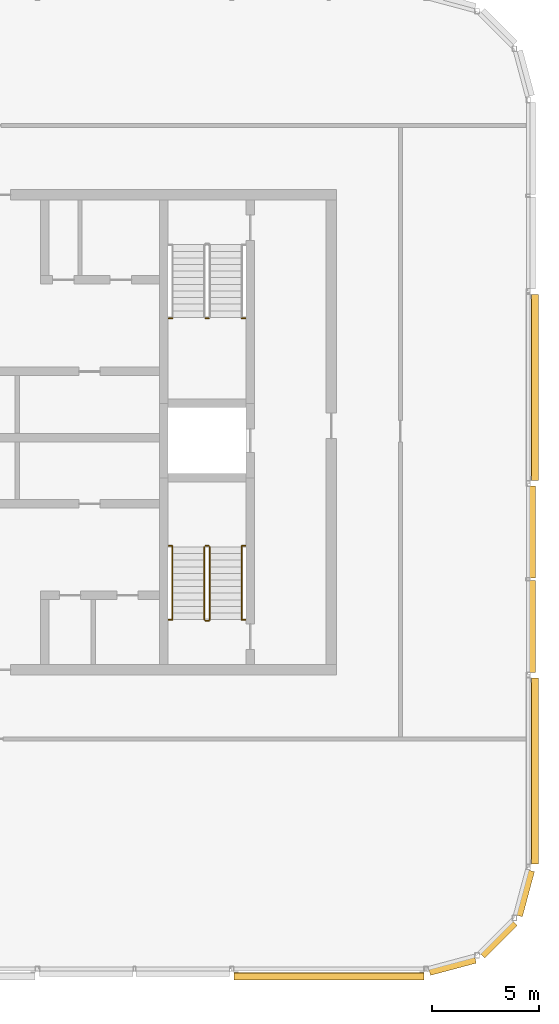
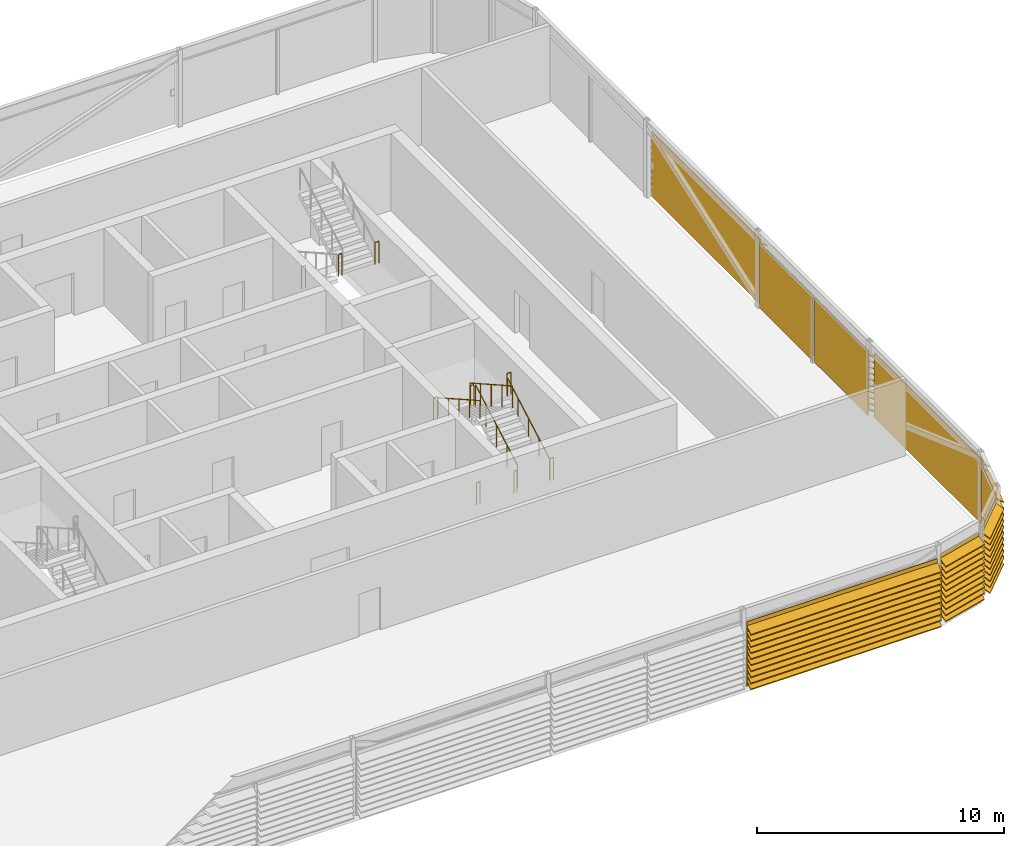
# One storey, part 26 of 28: 13 railings, 8 shading devices.
"""IFC4 building model written with IfcOpenShell, lengths in metres."""

from ifc_helpers import new_model, si_unit, direction, frame, origin, origin_2d, place, context, subcontext, project, spatial, polyline, circle, outline, extrude, material, type_object, element, save


model = new_model("IFC4")

# Units and contexts
model_context = context("Model", 3, precision=1e-05, world=origin(), true_north=direction((0.0, 1.0)))
body_context = subcontext(model_context, "Body", "Model", "MODEL_VIEW")
ifc_project = project(units=[si_unit("LENGTHUNIT", "METRE"), si_unit("AREAUNIT", "SQUARE_METRE"), si_unit("VOLUMEUNIT", "CUBIC_METRE"), si_unit("PLANEANGLEUNIT", "RADIAN"), si_unit("MASSUNIT", "GRAM", prefix="KILO")], contexts=[model_context])

# Site, building, storey
site_placement = place(None, origin())
site = spatial("IfcSite", under=ifc_project, at=site_placement, CompositionType="ELEMENT")
building_placement = place(site_placement, origin())
building = spatial("IfcBuilding", under=site, at=building_placement, Name="Madar Terraces", CompositionType="ELEMENT")
storey_placement = place(building_placement, frame((0.0, 0.0, 305.89990234375)))
storey = spatial("IfcBuildingStorey", under=building, at=storey_placement, Name="L79", CompositionType="ELEMENT", Elevation=305.89990234375)

# Shading devices
ifc_material_1 = material(Name="Aluminium, black anodised", Category="aluminium")
shading_device_type = type_object("IfcShadingDeviceType", Name="Crown louvre bank", PredefinedType="USERDEFINED", material=ifc_material_1)
shading_device_1_placement = place(storey_placement, frame((42.58154296875, 1.199951171875, 0.0), z_axis=(1.0, 0.0, 0.0), x_axis=(0.0, 1.0, 0.0)))
element("IfcShadingDevice", 1, at=shading_device_1_placement, inside=storey, type_object=shading_device_type, Name="LOUVRE bank L79 5.1", ObjectType="LOUVRE", PredefinedType="USERDEFINED", context=body_context, shape_type="SweptSolid", body=[
    extrude(outline(polyline([(-0.156982421875, 0.0), (-0.18701171875, 0.0), (-0.18701171875, 0.24951171875), (-0.5146484375, 0.02001953125), (-0.5146484375, 0.06884765625), (-0.18701171875, 0.29833984375), (-0.18701171875, 0.54931640625), (-0.5146484375, 0.320068359375), (-0.5146484375, 0.368896484375), (-0.18701171875, 0.59814453125), (-0.18701171875, 0.849365234375), (-0.5146484375, 0.6201171875), (-0.5146484375, 0.6689453125), (-0.18701171875, 0.898193359375), (-0.18701171875, 1.1494140625), (-0.5146484375, 0.919921875), (-0.5146484375, 0.96875), (-0.18701171875, 1.1982421875), (-0.18701171875, 1.449462890625), (-0.5146484375, 1.219970703125), (-0.5146484375, 1.268798828125), (-0.18701171875, 1.498291015625), (-0.18701171875, 1.74951171875), (-0.5146484375, 1.52001953125), (-0.5146484375, 1.56884765625), (-0.18701171875, 1.79833984375), (-0.18701171875, 2.04931640625), (-0.5146484375, 1.820068359375), (-0.5146484375, 1.868896484375), (-0.18701171875, 2.09814453125), (-0.18701171875, 2.349365234375), (-0.5146484375, 2.1201171875), (-0.5146484375, 2.1689453125), (-0.18701171875, 2.398193359375), (-0.18701171875, 2.6494140625), (-0.5146484375, 2.419921875), (-0.5146484375, 2.46875), (-0.18701171875, 2.6982421875), (-0.18701171875, 2.949462890625), (-0.5146484375, 2.719970703125), (-0.5146484375, 2.768798828125), (-0.18701171875, 2.998291015625), (-0.18701171875, 3.197998046875), (-0.156982421875, 3.197998046875), (-0.156982421875, 0.0)])), origin(), (0.0, 0.0, 1.0), 8.916748046875),
])
shading_device_2_placement = place(storey_placement, frame((51.7265625, 1.23388671875, 0.0), z_axis=(0.965935304808, 0.258783668197, 0.0), x_axis=(-0.258783668197, 0.965935304808, 0.0)))
element("IfcShadingDevice", 2, at=shading_device_2_placement, inside=storey, type_object=shading_device_type, Name="LOUVRE bank L79 6.1", ObjectType="LOUVRE", PredefinedType="USERDEFINED", context=body_context, shape_type="SweptSolid", body=[
    extrude(outline(polyline([(0.014892578125, 0.0), (-0.014892578125, 0.0), (-0.014892578125, 0.24951171875), (-0.3427734375, 0.02001953125), (-0.3427734375, 0.06884765625), (-0.014892578125, 0.29833984375), (-0.014892578125, 0.54931640625), (-0.3427734375, 0.320068359375), (-0.3427734375, 0.368896484375), (-0.014892578125, 0.59814453125), (-0.014892578125, 0.849365234375), (-0.3427734375, 0.6201171875), (-0.3427734375, 0.6689453125), (-0.014892578125, 0.898193359375), (-0.014892578125, 1.1494140625), (-0.3427734375, 0.919921875), (-0.3427734375, 0.96875), (-0.014892578125, 1.1982421875), (-0.014892578125, 1.449462890625), (-0.3427734375, 1.219970703125), (-0.3427734375, 1.268798828125), (-0.014892578125, 1.498291015625), (-0.014892578125, 1.74951171875), (-0.3427734375, 1.52001953125), (-0.3427734375, 1.56884765625), (-0.014892578125, 1.79833984375), (-0.014892578125, 2.04931640625), (-0.3427734375, 1.820068359375), (-0.3427734375, 1.868896484375), (-0.014892578125, 2.09814453125), (-0.014892578125, 2.349365234375), (-0.3427734375, 2.1201171875), (-0.3427734375, 2.1689453125), (-0.014892578125, 2.398193359375), (-0.014892578125, 2.6494140625), (-0.3427734375, 2.419921875), (-0.3427734375, 2.46875), (-0.014892578125, 2.6982421875), (-0.014892578125, 2.949462890625), (-0.3427734375, 2.719970703125), (-0.3427734375, 2.768798828125), (-0.014892578125, 2.998291015625), (-0.014892578125, 3.197998046875), (0.014892578125, 3.197998046875), (0.014892578125, 0.0)])), origin(), (0.0, 0.0, 1.0), 2.22265625),
])
shading_device_3_placement = place(storey_placement, frame((54.1142578125, 1.957275390625, 0.0), z_axis=(0.707106781187, 0.707106781187, 0.0), x_axis=(-0.707106781187, 0.707106781187, 0.0)))
element("IfcShadingDevice", 3, at=shading_device_3_placement, inside=storey, type_object=shading_device_type, Name="LOUVRE bank L79 7.1", ObjectType="LOUVRE", PredefinedType="USERDEFINED", context=body_context, shape_type="SweptSolid", body=[
    extrude(outline(polyline([(0.014892578125, 0.0), (-0.014892578125, 0.0), (-0.014892578125, 0.24951171875), (-0.3427734375, 0.02001953125), (-0.3427734375, 0.06884765625), (-0.014892578125, 0.29833984375), (-0.014892578125, 0.54931640625), (-0.3427734375, 0.320068359375), (-0.3427734375, 0.368896484375), (-0.014892578125, 0.59814453125), (-0.014892578125, 0.849365234375), (-0.3427734375, 0.6201171875), (-0.3427734375, 0.6689453125), (-0.014892578125, 0.898193359375), (-0.014892578125, 1.1494140625), (-0.3427734375, 0.919921875), (-0.3427734375, 0.96875), (-0.014892578125, 1.1982421875), (-0.014892578125, 1.449462890625), (-0.3427734375, 1.219970703125), (-0.3427734375, 1.268798828125), (-0.014892578125, 1.498291015625), (-0.014892578125, 1.74951171875), (-0.3427734375, 1.52001953125), (-0.3427734375, 1.56884765625), (-0.014892578125, 1.79833984375), (-0.014892578125, 2.04931640625), (-0.3427734375, 1.820068359375), (-0.3427734375, 1.868896484375), (-0.014892578125, 2.09814453125), (-0.014892578125, 2.349365234375), (-0.3427734375, 2.1201171875), (-0.3427734375, 2.1689453125), (-0.014892578125, 2.398193359375), (-0.014892578125, 2.6494140625), (-0.3427734375, 2.419921875), (-0.3427734375, 2.46875), (-0.014892578125, 2.6982421875), (-0.014892578125, 2.949462890625), (-0.3427734375, 2.719970703125), (-0.3427734375, 2.768798828125), (-0.014892578125, 2.998291015625), (-0.014892578125, 3.197998046875), (0.014892578125, 3.197998046875), (0.014892578125, 0.0)])), origin(), (0.0, 0.0, 1.0), 2.161376953125),
])
shading_device_4_placement = place(storey_placement, frame((55.79541015625, 3.743896484375, 0.0), z_axis=(0.258788169352, 0.965934098893, 0.0), x_axis=(-0.965934098893, 0.258788169352, 0.0)))
element("IfcShadingDevice", 4, at=shading_device_4_placement, inside=storey, type_object=shading_device_type, Name="LOUVRE bank L79 8.1", ObjectType="LOUVRE", PredefinedType="USERDEFINED", context=body_context, shape_type="SweptSolid", body=[
    extrude(outline(polyline([(0.014892578125, 0.0), (-0.014892578125, 0.0), (-0.014892578125, 0.24951171875), (-0.3427734375, 0.02001953125), (-0.3427734375, 0.06884765625), (-0.014892578125, 0.29833984375), (-0.014892578125, 0.54931640625), (-0.3427734375, 0.320068359375), (-0.3427734375, 0.368896484375), (-0.014892578125, 0.59814453125), (-0.014892578125, 0.849365234375), (-0.3427734375, 0.6201171875), (-0.3427734375, 0.6689453125), (-0.014892578125, 0.898193359375), (-0.014892578125, 1.1494140625), (-0.3427734375, 0.919921875), (-0.3427734375, 0.96875), (-0.014892578125, 1.1982421875), (-0.014892578125, 1.449462890625), (-0.3427734375, 1.219970703125), (-0.3427734375, 1.268798828125), (-0.014892578125, 1.498291015625), (-0.014892578125, 1.74951171875), (-0.3427734375, 1.52001953125), (-0.3427734375, 1.56884765625), (-0.014892578125, 1.79833984375), (-0.014892578125, 2.04931640625), (-0.3427734375, 1.820068359375), (-0.3427734375, 1.868896484375), (-0.014892578125, 2.09814453125), (-0.014892578125, 2.349365234375), (-0.3427734375, 2.1201171875), (-0.3427734375, 2.1689453125), (-0.014892578125, 2.398193359375), (-0.014892578125, 2.6494140625), (-0.3427734375, 2.419921875), (-0.3427734375, 2.46875), (-0.014892578125, 2.6982421875), (-0.014892578125, 2.949462890625), (-0.3427734375, 2.719970703125), (-0.3427734375, 2.768798828125), (-0.014892578125, 2.998291015625), (-0.014892578125, 3.197998046875), (0.014892578125, 3.197998046875), (0.014892578125, 0.0)])), origin(), (0.0, 0.0, 1.0), 2.186767578125),
])
shading_device_5_placement = place(storey_placement, frame((56.39990234375, 6.126953125, 0.0), z_axis=(0.0, 1.0, 0.0), x_axis=(-1.0, 0.0, 0.0)))
element("IfcShadingDevice", 5, at=shading_device_5_placement, inside=storey, type_object=shading_device_type, Name="LOUVRE bank L79 9.1", ObjectType="LOUVRE", PredefinedType="USERDEFINED", context=body_context, shape_type="SweptSolid", body=[
    extrude(outline(polyline([(-0.131591796875, 0.0), (-0.16162109375, 0.0), (-0.16162109375, 0.24951171875), (-0.4892578125, 0.02001953125), (-0.4892578125, 0.06884765625), (-0.16162109375, 0.29833984375), (-0.16162109375, 0.54931640625), (-0.4892578125, 0.320068359375), (-0.4892578125, 0.368896484375), (-0.16162109375, 0.59814453125), (-0.16162109375, 0.849365234375), (-0.4892578125, 0.6201171875), (-0.4892578125, 0.6689453125), (-0.16162109375, 0.898193359375), (-0.16162109375, 1.1494140625), (-0.4892578125, 0.919921875), (-0.4892578125, 0.96875), (-0.16162109375, 1.1982421875), (-0.16162109375, 1.449462890625), (-0.4892578125, 1.219970703125), (-0.4892578125, 1.268798828125), (-0.16162109375, 1.498291015625), (-0.16162109375, 1.74951171875), (-0.4892578125, 1.52001953125), (-0.4892578125, 1.56884765625), (-0.16162109375, 1.79833984375), (-0.16162109375, 2.04931640625), (-0.4892578125, 1.820068359375), (-0.4892578125, 1.868896484375), (-0.16162109375, 2.09814453125), (-0.16162109375, 2.349365234375), (-0.4892578125, 2.1201171875), (-0.4892578125, 2.1689453125), (-0.16162109375, 2.398193359375), (-0.16162109375, 2.6494140625), (-0.4892578125, 2.419921875), (-0.4892578125, 2.46875), (-0.16162109375, 2.6982421875), (-0.16162109375, 2.949462890625), (-0.4892578125, 2.719970703125), (-0.4892578125, 2.768798828125), (-0.16162109375, 2.998291015625), (-0.16162109375, 3.197998046875), (-0.131591796875, 3.197998046875), (-0.131591796875, 0.0)])), origin(), (0.0, 0.0, 1.0), 8.74609375),
])
for number, where, z_axis, x_axis, name in (
    (6, (56.39990234375, 15.126953125, 0.0), (0.0, 1.0, 0.0), (-1.0, 0.0, 0.0), "LOUVRE bank L79 10.1"),
    (7, (56.39990234375, 19.5634765625, 0.0), (0.0, 1.0, 0.0), (-1.0, 0.0, 0.0), "LOUVRE bank L79 10.2"),
):
    element("IfcShadingDevice", number, at=place(storey_placement, frame(where, z_axis=z_axis, x_axis=x_axis)), inside=storey, type_object=shading_device_type, Name=name, ObjectType="LOUVRE", PredefinedType="USERDEFINED", context=body_context, shape_type="SweptSolid", body=[
        extrude(outline(polyline([(0.014892578125, 0.0), (-0.014892578125, 0.0), (-0.014892578125, 0.24951171875), (-0.3427734375, 0.02001953125), (-0.3427734375, 0.06884765625), (-0.014892578125, 0.29833984375), (-0.014892578125, 0.54931640625), (-0.3427734375, 0.320068359375), (-0.3427734375, 0.368896484375), (-0.014892578125, 0.59814453125), (-0.014892578125, 0.849365234375), (-0.3427734375, 0.6201171875), (-0.3427734375, 0.6689453125), (-0.014892578125, 0.898193359375), (-0.014892578125, 1.1494140625), (-0.3427734375, 0.919921875), (-0.3427734375, 0.96875), (-0.014892578125, 1.1982421875), (-0.014892578125, 1.449462890625), (-0.3427734375, 1.219970703125), (-0.3427734375, 1.268798828125), (-0.014892578125, 1.498291015625), (-0.014892578125, 1.74951171875), (-0.3427734375, 1.52001953125), (-0.3427734375, 1.56884765625), (-0.014892578125, 1.79833984375), (-0.014892578125, 2.04931640625), (-0.3427734375, 1.820068359375), (-0.3427734375, 1.868896484375), (-0.014892578125, 2.09814453125), (-0.014892578125, 2.349365234375), (-0.3427734375, 2.1201171875), (-0.3427734375, 2.1689453125), (-0.014892578125, 2.398193359375), (-0.014892578125, 2.6494140625), (-0.3427734375, 2.419921875), (-0.3427734375, 2.46875), (-0.014892578125, 2.6982421875), (-0.014892578125, 2.949462890625), (-0.3427734375, 2.719970703125), (-0.3427734375, 2.768798828125), (-0.014892578125, 2.998291015625), (-0.014892578125, 3.197998046875), (0.014892578125, 3.197998046875), (0.014892578125, 0.0)])), origin(), (0.0, 0.0, 1.0), 4.3095703125),
    ])
shading_device_6_placement = place(storey_placement, frame((56.39990234375, 24.126953125, 0.0), z_axis=(0.0, 1.0, 0.0), x_axis=(-1.0, 0.0, 0.0)))
element("IfcShadingDevice", 8, at=shading_device_6_placement, inside=storey, type_object=shading_device_type, Name="LOUVRE bank L79 11.1", ObjectType="LOUVRE", PredefinedType="USERDEFINED", context=body_context, shape_type="SweptSolid", body=[
    extrude(outline(polyline([(-0.131591796875, 0.0), (-0.16162109375, 0.0), (-0.16162109375, 0.24951171875), (-0.4892578125, 0.02001953125), (-0.4892578125, 0.06884765625), (-0.16162109375, 0.29833984375), (-0.16162109375, 0.54931640625), (-0.4892578125, 0.320068359375), (-0.4892578125, 0.368896484375), (-0.16162109375, 0.59814453125), (-0.16162109375, 0.849365234375), (-0.4892578125, 0.6201171875), (-0.4892578125, 0.6689453125), (-0.16162109375, 0.898193359375), (-0.16162109375, 1.1494140625), (-0.4892578125, 0.919921875), (-0.4892578125, 0.96875), (-0.16162109375, 1.1982421875), (-0.16162109375, 1.449462890625), (-0.4892578125, 1.219970703125), (-0.4892578125, 1.268798828125), (-0.16162109375, 1.498291015625), (-0.16162109375, 1.74951171875), (-0.4892578125, 1.52001953125), (-0.4892578125, 1.56884765625), (-0.16162109375, 1.79833984375), (-0.16162109375, 2.04931640625), (-0.4892578125, 1.820068359375), (-0.4892578125, 1.868896484375), (-0.16162109375, 2.09814453125), (-0.16162109375, 2.349365234375), (-0.4892578125, 2.1201171875), (-0.4892578125, 2.1689453125), (-0.16162109375, 2.398193359375), (-0.16162109375, 2.6494140625), (-0.4892578125, 2.419921875), (-0.4892578125, 2.46875), (-0.16162109375, 2.6982421875), (-0.16162109375, 2.949462890625), (-0.4892578125, 2.719970703125), (-0.4892578125, 2.768798828125), (-0.16162109375, 2.998291015625), (-0.16162109375, 3.197998046875), (-0.131591796875, 3.197998046875), (-0.131591796875, 0.0)])), origin(), (0.0, 0.0, 1.0), 8.74609375),
])

# Railings
ifc_material_2 = material(Name="Stainless steel railing", Category="steel")
railing_type_1 = type_object("IfcRailingType", Name="Stair guard 1100", PredefinedType="GUARDRAIL", material=ifc_material_2)
railing_1_placement = place(storey_placement, frame((41.25, 31.739990234375, 2.10009765625)))
element("IfcRailing", 9, at=railing_1_placement, inside=storey, type_object=railing_type_1, Name="L79 ST2 stair guard 2", PredefinedType="GUARDRAIL", context=body_context, shape_type="SweptSolid", body=[
    extrude(circle(Radius=0.02392578125, at=origin_2d()), frame((0.0, 0.0, 1.076171875), z_axis=(1.0, 0.0, 0.0), x_axis=(0.0, 1.0, 0.0)), (0.0, 0.0, 1.0), 0.14990234375),
    extrude(circle(Radius=0.02099609375, at=origin_2d()), origin(), (0.0, 0.0, 1.0), 1.052001953125),
    extrude(circle(Radius=0.02099609375, at=origin_2d()), frame((0.14990234375, 0.0, 0.0)), (0.0, 0.0, 1.0), 1.052001953125),
])
railing_2_placement = place(storey_placement, frame((41.449951171875, 17.60009765625, 0.175048828125)))
element("IfcRailing", 10, at=railing_2_placement, inside=storey, type_object=railing_type_1, Name="L79 ST3 stair guard 1", PredefinedType="GUARDRAIL", context=body_context, shape_type="SweptSolid", body=[
    extrude(circle(Radius=0.02392578125, at=origin_2d()), frame((0.0, 0.0, 1.076171875), z_axis=(0.0, 0.87081354652, 0.491613432685), x_axis=(-1.0, 0.0, 0.0)), (0.0, 0.0, 1.0), 3.915771484375),
    extrude(circle(Radius=0.02099609375, at=origin_2d()), origin(), (0.0, 0.0, 1.0), 1.052001953125),
    extrude(circle(Radius=0.02099609375, at=origin_2d()), frame((0.0, 0.8525390625, 0.481201171875)), (0.0, 0.0, 1.0), 1.052001953125),
    extrude(circle(Radius=0.02099609375, at=origin_2d()), frame((0.0, 1.705078125, 0.96240234375)), (0.0, 0.0, 1.0), 1.052001953125),
    extrude(circle(Radius=0.02099609375, at=origin_2d()), frame((0.0, 2.557373046875, 1.44384765625)), (0.0, 0.0, 1.0), 1.052001953125),
    extrude(circle(Radius=0.02099609375, at=origin_2d()), frame((0.0, 3.409912109375, 1.925048828125)), (0.0, 0.0, 1.0), 1.052001953125),
])
railing_3_placement = place(storey_placement, frame((41.39990234375, 21.06005859375, 2.10009765625)))
element("IfcRailing", 11, at=railing_3_placement, inside=storey, type_object=railing_type_1, Name="L79 ST3 stair guard 2", PredefinedType="GUARDRAIL", context=body_context, shape_type="SweptSolid", body=[
    extrude(circle(Radius=0.02392578125, at=origin_2d()), frame((0.0, 0.0, 1.076171875), z_axis=(-1.0, 0.0, 0.0), x_axis=(0.0, -1.0, 0.0)), (0.0, 0.0, 1.0), 0.14990234375),
    extrude(circle(Radius=0.02099609375, at=origin_2d()), origin(), (0.0, 0.0, 1.0), 1.052001953125),
    extrude(circle(Radius=0.02099609375, at=origin_2d()), frame((-0.14990234375, 0.0, 0.0)), (0.0, 0.0, 1.0), 1.052001953125),
])
railing_4_placement = place(storey_placement, frame((41.199951171875, 21.010009765625, 2.275146484375)))
element("IfcRailing", 12, at=railing_4_placement, inside=storey, type_object=railing_type_1, Name="L79 ST3 stair guard 3", PredefinedType="GUARDRAIL", context=body_context, shape_type="SweptSolid", body=[
    extrude(circle(Radius=0.02392578125, at=origin_2d()), frame((0.0, 0.0, 1.076171875), z_axis=(0.0, -0.87081354652, 0.491613432685), x_axis=(1.0, 0.0, 0.0)), (0.0, 0.0, 1.0), 3.915771484375),
    extrude(circle(Radius=0.02099609375, at=origin_2d()), origin(), (0.0, 0.0, 1.0), 1.052001953125),
    extrude(circle(Radius=0.02099609375, at=origin_2d()), frame((0.0, -0.8525390625, 0.481201171875)), (0.0, 0.0, 1.0), 1.052001953125),
    extrude(circle(Radius=0.02099609375, at=origin_2d()), frame((0.0, -1.705078125, 0.96240234375)), (0.0, 0.0, 1.0), 1.052001953125),
    extrude(circle(Radius=0.02099609375, at=origin_2d()), frame((0.0, -2.557373046875, 1.44384765625)), (0.0, 0.0, 1.0), 1.052001953125),
    extrude(circle(Radius=0.02099609375, at=origin_2d()), frame((0.0, -3.409912109375, 1.925048828125)), (0.0, 0.0, 1.0), 1.052001953125),
])
railing_5_placement = place(storey_placement, frame((41.39990234375, 17.550048828125, 0.0)))
element("IfcRailing", 13, at=railing_5_placement, inside=storey, type_object=railing_type_1, Name="L79 ST3 stair guard 4", PredefinedType="GUARDRAIL", context=body_context, shape_type="SweptSolid", body=[
    extrude(circle(Radius=0.02392578125, at=origin_2d()), frame((0.0, 0.0, 1.076171875), z_axis=(-1.0, 0.0, 0.0), x_axis=(0.0, -1.0, 0.0)), (0.0, 0.0, 1.0), 0.14990234375),
    extrude(circle(Radius=0.02099609375, at=origin_2d()), origin(), (0.0, 0.0, 1.0), 1.052001953125),
    extrude(circle(Radius=0.02099609375, at=origin_2d()), frame((-0.14990234375, 0.0, 0.0)), (0.0, 0.0, 1.0), 1.052001953125),
])
for number, where, name in (
    (14, (39.52001953125, 31.739990234375, 2.10009765625), "L79 stair guard seat 1"),
    (15, (42.949951171875, 31.739990234375, 2.10009765625), "L79 stair guard seat 2"),
    (16, (39.52001953125, 21.06005859375, 2.10009765625), "L79 stair guard seat 1"),
    (17, (42.949951171875, 21.06005859375, 2.10009765625), "L79 stair guard seat 2"),
    (18, (39.52001953125, 17.60009765625, 0.0), "L79 stair guard floor 1"),
    (19, (42.949951171875, 17.60009765625, 0.0), "L79 stair guard floor 2"),
):
    element("IfcRailing", number, at=place(storey_placement, frame(where)), inside=storey, type_object=railing_type_1, Name=name, PredefinedType="GUARDRAIL", context=body_context, shape_type="SweptSolid", body=[
        extrude(circle(Radius=0.02392578125, at=origin_2d()), frame((0.0, 0.0, 1.076171875), z_axis=(1.0, 0.0, 0.0), x_axis=(0.0, 1.0, 0.0)), (0.0, 0.0, 1.0), 0.179931640625),
        extrude(circle(Radius=0.02099609375, at=origin_2d()), origin(), (0.0, 0.0, 1.0), 1.052001953125),
        extrude(circle(Radius=0.02099609375, at=origin_2d()), frame((0.179931640625, 0.0, 0.0)), (0.0, 0.0, 1.0), 1.052001953125),
    ])
ifc_material_3 = material(Name="Stainless steel railing", Category="steel")
railing_type_2 = type_object("IfcRailingType", Name="Stair handrail 900", PredefinedType="HANDRAIL", material=ifc_material_3)
railing_6_placement = place(storey_placement, frame((42.949951171875, 17.60009765625, 0.175048828125)))
element("IfcRailing", 20, at=railing_6_placement, inside=storey, type_object=railing_type_2, Name="L79 ST3 stair handrail 1", PredefinedType="HANDRAIL", context=body_context, shape_type="SweptSolid", body=[
    extrude(circle(Radius=0.02392578125, at=origin_2d()), frame((0.0, 0.0, 0.8759765625), z_axis=(0.0, 0.87081354652, 0.491613432685), x_axis=(-1.0, 0.0, 0.0)), (0.0, 0.0, 1.0), 3.915771484375),
    extrude(circle(Radius=0.02099609375, at=origin_2d()), origin(), (0.0, 0.0, 1.0), 0.851806640625),
    extrude(circle(Radius=0.02099609375, at=origin_2d()), frame((0.0, 0.8525390625, 0.481201171875)), (0.0, 0.0, 1.0), 0.851806640625),
    extrude(circle(Radius=0.02099609375, at=origin_2d()), frame((0.0, 1.705078125, 0.96240234375)), (0.0, 0.0, 1.0), 0.851806640625),
    extrude(circle(Radius=0.02099609375, at=origin_2d()), frame((0.0, 2.557373046875, 1.44384765625)), (0.0, 0.0, 1.0), 0.851806640625),
    extrude(circle(Radius=0.02099609375, at=origin_2d()), frame((0.0, 3.409912109375, 1.925048828125)), (0.0, 0.0, 1.0), 0.851806640625),
])
railing_7_placement = place(storey_placement, frame((39.699951171875, 21.010009765625, 2.275146484375)))
element("IfcRailing", 21, at=railing_7_placement, inside=storey, type_object=railing_type_2, Name="L79 ST3 stair handrail 2", PredefinedType="HANDRAIL", context=body_context, shape_type="SweptSolid", body=[
    extrude(circle(Radius=0.02392578125, at=origin_2d()), frame((0.0, 0.0, 0.8759765625), z_axis=(0.0, -0.87081354652, 0.491613432685), x_axis=(1.0, 0.0, 0.0)), (0.0, 0.0, 1.0), 3.915771484375),
    extrude(circle(Radius=0.02099609375, at=origin_2d()), origin(), (0.0, 0.0, 1.0), 0.851806640625),
    extrude(circle(Radius=0.02099609375, at=origin_2d()), frame((0.0, -0.8525390625, 0.481201171875)), (0.0, 0.0, 1.0), 0.851806640625),
    extrude(circle(Radius=0.02099609375, at=origin_2d()), frame((0.0, -1.705078125, 0.96240234375)), (0.0, 0.0, 1.0), 0.851806640625),
    extrude(circle(Radius=0.02099609375, at=origin_2d()), frame((0.0, -2.557373046875, 1.44384765625)), (0.0, 0.0, 1.0), 0.851806640625),
    extrude(circle(Radius=0.02099609375, at=origin_2d()), frame((0.0, -3.409912109375, 1.925048828125)), (0.0, 0.0, 1.0), 0.851806640625),
])

save(model, "model.ifc")
